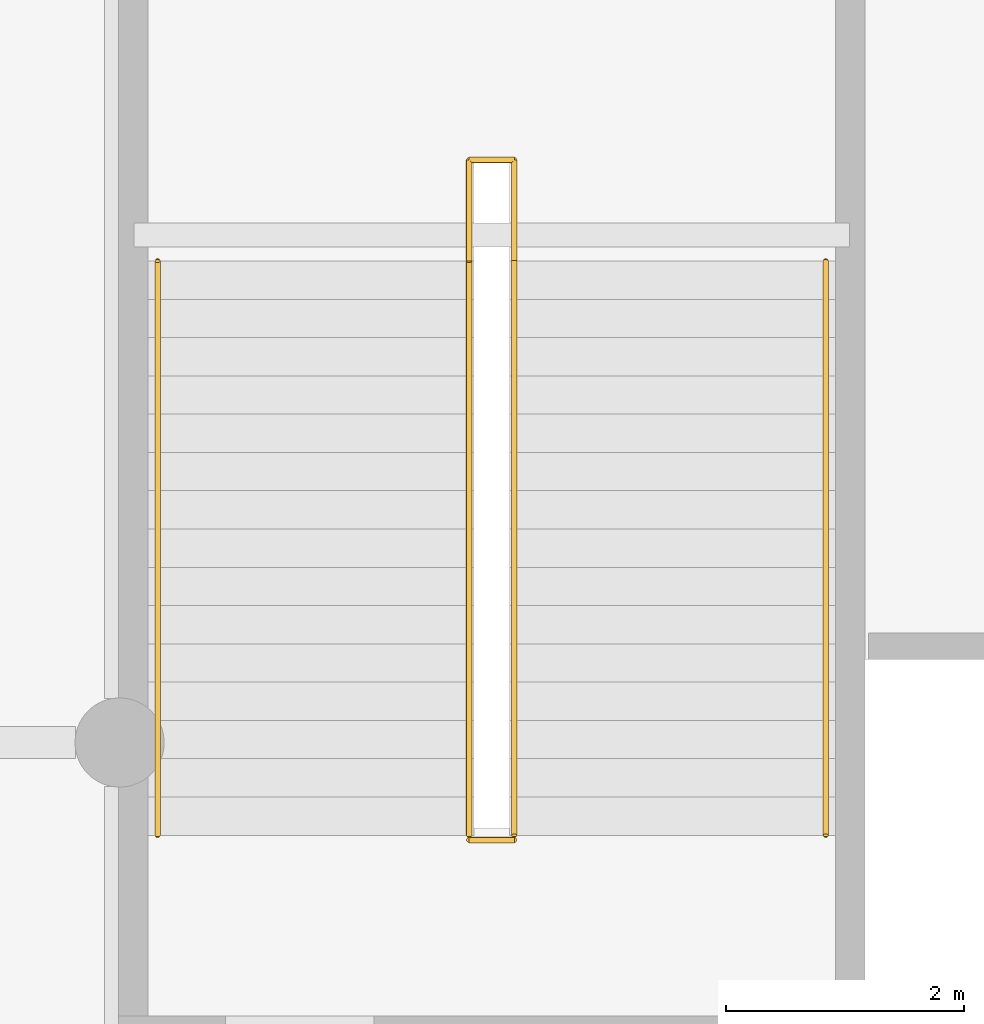
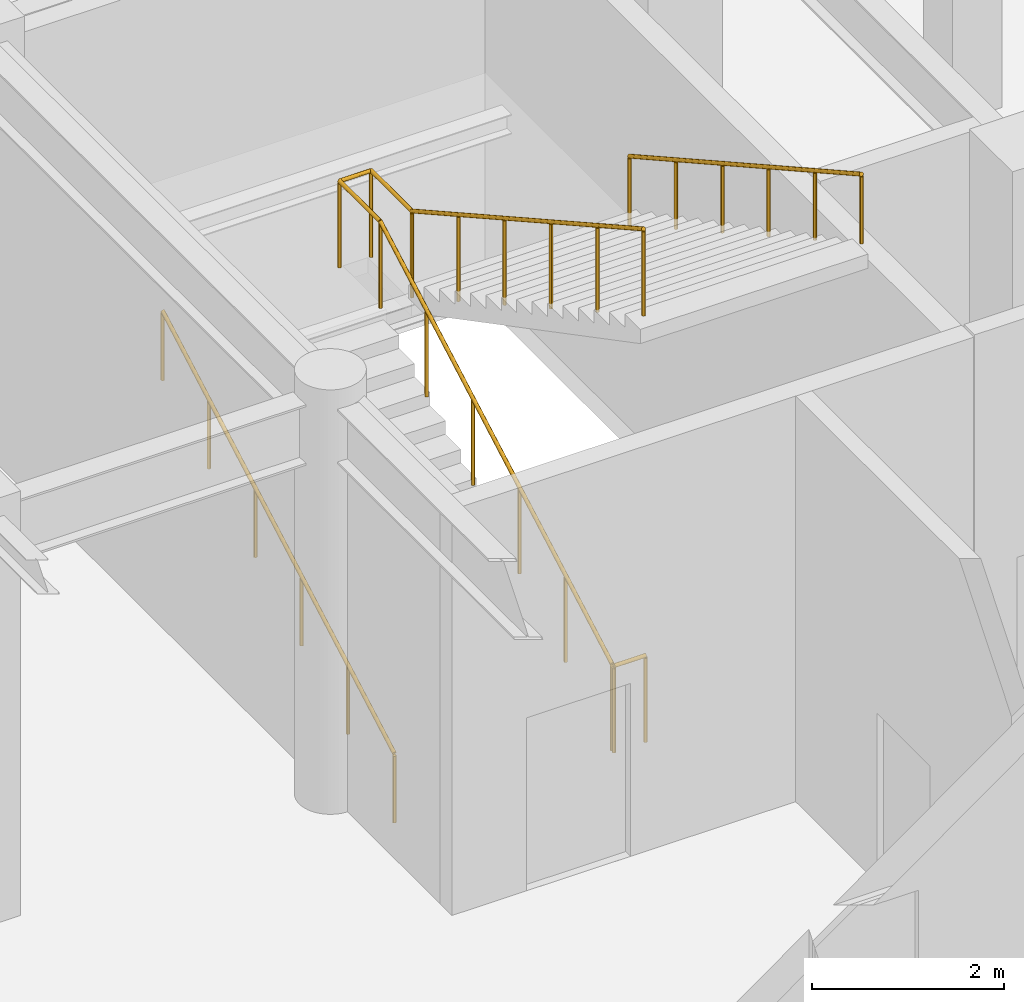
# One storey, part 136 of 139: 4 railings.
"""IFC4 building model written with IfcOpenShell, lengths in metres."""

from ifc_helpers import new_model, si_unit, direction, frame, origin, origin_2d, place, context, subcontext, project, spatial, circle, extrude, material, type_object, element, save


model = new_model("IFC4")

# Units and contexts
model_context = context("Model", 3, precision=1e-05, world=origin(), true_north=direction((0.0, 1.0)))
body_context = subcontext(model_context, "Body", "Model", "MODEL_VIEW")
ifc_project = project(units=[si_unit("LENGTHUNIT", "METRE"), si_unit("AREAUNIT", "SQUARE_METRE"), si_unit("VOLUMEUNIT", "CUBIC_METRE"), si_unit("PLANEANGLEUNIT", "RADIAN"), si_unit("MASSUNIT", "GRAM", prefix="KILO")], contexts=[model_context])

# Site, building, storey
site_placement = place(None, origin())
site = spatial("IfcSite", under=ifc_project, at=site_placement, CompositionType="ELEMENT")
building_placement = place(site_placement, origin())
building = spatial("IfcBuilding", under=site, at=building_placement, Name="Xicomal Pleat Aquarium", CompositionType="ELEMENT")
storey_placement = place(building_placement, origin())
storey = spatial("IfcBuildingStorey", under=building, at=storey_placement, Name="L01", CompositionType="ELEMENT", Elevation=0.0)

# Railings
ifc_material_1 = material(Name="Brushed stainless steel 316L", Category="steel")
railing_type_1 = type_object("IfcRailingType", Name="RAL-HR-900", PredefinedType="HANDRAIL", material=ifc_material_1)
railing_1_placement = place(storey_placement, frame((102.919921875, 52.419921875, 0.0)))
element("IfcRailing", 1, at=railing_1_placement, inside=storey, type_object=railing_type_1, Name="ST-07-L01 flight 1 handrail", PredefinedType="HANDRAIL", context=body_context, shape_type="SweptSolid", body=[
    extrude(circle(Radius=0.02392578125, at=origin_2d()), frame((0.0, 0.0, 0.8759765625), z_axis=(0.0, 0.872882689512, 0.487930128554), x_axis=(-1.0, 0.0, 0.0)), (0.0, 0.0, 1.0), 5.533447265625),
    extrude(circle(Radius=0.02099609375, at=origin_2d()), origin(), (0.0, 0.0, 1.0), 0.851806640625),
    extrude(circle(Radius=0.02099609375, at=origin_2d()), frame((0.0, 0.966064453125, 0.5400390625)), (0.0, 0.0, 1.0), 0.851806640625),
    extrude(circle(Radius=0.02099609375, at=origin_2d()), frame((0.0, 1.93212890625, 1.080078125)), (0.0, 0.0, 1.0), 0.851806640625),
    extrude(circle(Radius=0.02099609375, at=origin_2d()), frame((0.0, 2.89794921875, 1.619873046875)), (0.0, 0.0, 1.0), 0.851806640625),
    extrude(circle(Radius=0.02099609375, at=origin_2d()), frame((0.0, 3.864013671875, 2.159912109375)), (0.0, 0.0, 1.0), 0.851806640625),
    extrude(circle(Radius=0.02099609375, at=origin_2d()), frame((0.0, 4.830078125, 2.699951171875)), (0.0, 0.0, 1.0), 0.851806640625),
])
railing_2_placement = place(storey_placement, frame((108.5400390625, 57.25, 2.699951171875)))
element("IfcRailing", 2, at=railing_2_placement, inside=storey, type_object=railing_type_1, Name="ST-07-L01 flight 2 handrail", PredefinedType="HANDRAIL", context=body_context, shape_type="SweptSolid", body=[
    extrude(circle(Radius=0.02392578125, at=origin_2d()), frame((0.0, 0.0, 0.8759765625), z_axis=(0.0, -0.872882689512, 0.487930128554), x_axis=(1.0, 0.0, 0.0)), (0.0, 0.0, 1.0), 5.533447265625),
    extrude(circle(Radius=0.02099609375, at=origin_2d()), origin(), (0.0, 0.0, 1.0), 0.851806640625),
    extrude(circle(Radius=0.02099609375, at=origin_2d()), frame((0.0, -0.966064453125, 0.5400390625)), (0.0, 0.0, 1.0), 0.851806640625),
    extrude(circle(Radius=0.02099609375, at=origin_2d()), frame((0.0, -1.93212890625, 1.080078125)), (0.0, 0.0, 1.0), 0.851806640625),
    extrude(circle(Radius=0.02099609375, at=origin_2d()), frame((0.0, -2.89794921875, 1.619873046875)), (0.0, 0.0, 1.0), 0.851806640625),
    extrude(circle(Radius=0.02099609375, at=origin_2d()), frame((0.0, -3.864013671875, 2.159912109375)), (0.0, 0.0, 1.0), 0.851806640625),
    extrude(circle(Radius=0.02099609375, at=origin_2d()), frame((0.0, -4.830078125, 2.699951171875)), (0.0, 0.0, 1.0), 0.851806640625),
])
ifc_material_2 = material(Name="Brushed stainless steel 316L", Category="steel")
railing_type_2 = type_object("IfcRailingType", Name="RAL-STG-1120", PredefinedType="GUARDRAIL", material=ifc_material_2)
railing_3_placement = place(storey_placement, frame((105.5400390625, 52.419921875, 0.0)))
element("IfcRailing", 3, at=railing_3_placement, inside=storey, type_object=railing_type_2, Name="ST-07-L01 inner well guard", PredefinedType="GUARDRAIL", context=body_context, shape_type="SweptSolid", body=[
    extrude(circle(Radius=0.02392578125, at=origin_2d()), frame((0.0, 0.0, 1.09619140625), z_axis=(0.0, 0.872882689512, 0.487930128554), x_axis=(-1.0, 0.0, 0.0)), (0.0, 0.0, 1.0), 5.533447265625),
    extrude(circle(Radius=0.02392578125, at=origin_2d()), frame((0.0, 4.830078125, 3.7958984375), z_axis=(0.0, 1.0, 0.0), x_axis=(-1.0, 0.0, 0.0)), (0.0, 0.0, 1.0), 0.85009765625),
    extrude(circle(Radius=0.02392578125, at=origin_2d()), frame((0.0, 5.68017578125, 3.7958984375), z_axis=(1.0, 0.0, 0.0), x_axis=(0.0, 1.0, 0.0)), (0.0, 0.0, 1.0), 0.3798828125),
    extrude(circle(Radius=0.02392578125, at=origin_2d()), frame((0.3798828125, 5.68017578125, 3.7958984375), z_axis=(0.0, -1.0, 0.0), x_axis=(1.0, 0.0, 0.0)), (0.0, 0.0, 1.0), 0.85009765625),
    extrude(circle(Radius=0.02392578125, at=origin_2d()), frame((0.3798828125, 4.830078125, 3.7958984375), z_axis=(0.0, -0.872882689512, 0.487930128554), x_axis=(1.0, 0.0, 0.0)), (0.0, 0.0, 1.0), 5.533447265625),
    extrude(circle(Radius=0.02099609375, at=origin_2d()), origin(), (0.0, 0.0, 1.0), 1.072021484375),
    extrude(circle(Radius=0.02099609375, at=origin_2d()), frame((0.0, 0.966064453125, 0.5400390625)), (0.0, 0.0, 1.0), 1.072021484375),
    extrude(circle(Radius=0.02099609375, at=origin_2d()), frame((0.0, 1.93212890625, 1.080078125)), (0.0, 0.0, 1.0), 1.072021484375),
    extrude(circle(Radius=0.02099609375, at=origin_2d()), frame((0.0, 2.89794921875, 1.619873046875)), (0.0, 0.0, 1.0), 1.072021484375),
    extrude(circle(Radius=0.02099609375, at=origin_2d()), frame((0.0, 3.864013671875, 2.159912109375)), (0.0, 0.0, 1.0), 1.072021484375),
    extrude(circle(Radius=0.02099609375, at=origin_2d()), frame((0.0, 4.830078125, 2.699951171875)), (0.0, 0.0, 1.0), 1.072021484375),
    extrude(circle(Radius=0.02099609375, at=origin_2d()), frame((0.0, 5.68017578125, 2.699951171875)), (0.0, 0.0, 1.0), 1.072021484375),
    extrude(circle(Radius=0.02099609375, at=origin_2d()), frame((0.3798828125, 5.68017578125, 2.699951171875)), (0.0, 0.0, 1.0), 1.072021484375),
    extrude(circle(Radius=0.02099609375, at=origin_2d()), frame((0.3798828125, 4.830078125, 2.699951171875)), (0.0, 0.0, 1.0), 1.072021484375),
    extrude(circle(Radius=0.02099609375, at=origin_2d()), frame((0.3798828125, 3.864013671875, 3.239990234375)), (0.0, 0.0, 1.0), 1.072021484375),
    extrude(circle(Radius=0.02099609375, at=origin_2d()), frame((0.3798828125, 2.89794921875, 3.780029296875)), (0.0, 0.0, 1.0), 1.072021484375),
    extrude(circle(Radius=0.02099609375, at=origin_2d()), frame((0.3798828125, 1.93212890625, 4.31982421875)), (0.0, 0.0, 1.0), 1.072021484375),
    extrude(circle(Radius=0.02099609375, at=origin_2d()), frame((0.3798828125, 0.966064453125, 4.85986328125)), (0.0, 0.0, 1.0), 1.072021484375),
    extrude(circle(Radius=0.02099609375, at=origin_2d()), frame((0.3798828125, 0.0, 5.39990234375)), (0.0, 0.0, 1.0), 1.072021484375),
])
railing_4_placement = place(storey_placement, frame((105.5400390625, 52.3798828125, 0.0)))
element("IfcRailing", 4, at=railing_4_placement, inside=storey, type_object=railing_type_2, Name="ST-07-L01 floor landing slot guard", PredefinedType="GUARDRAIL", context=body_context, shape_type="SweptSolid", body=[
    extrude(circle(Radius=0.02392578125, at=origin_2d()), frame((0.0, 0.0, 1.09619140625), z_axis=(1.0, 0.0, 0.0), x_axis=(0.0, 1.0, 0.0)), (0.0, 0.0, 1.0), 0.3798828125),
    extrude(circle(Radius=0.02099609375, at=origin_2d()), origin(), (0.0, 0.0, 1.0), 1.072021484375),
    extrude(circle(Radius=0.02099609375, at=origin_2d()), frame((0.3798828125, 0.0, 0.0)), (0.0, 0.0, 1.0), 1.072021484375),
])

save(model, "model.ifc")
